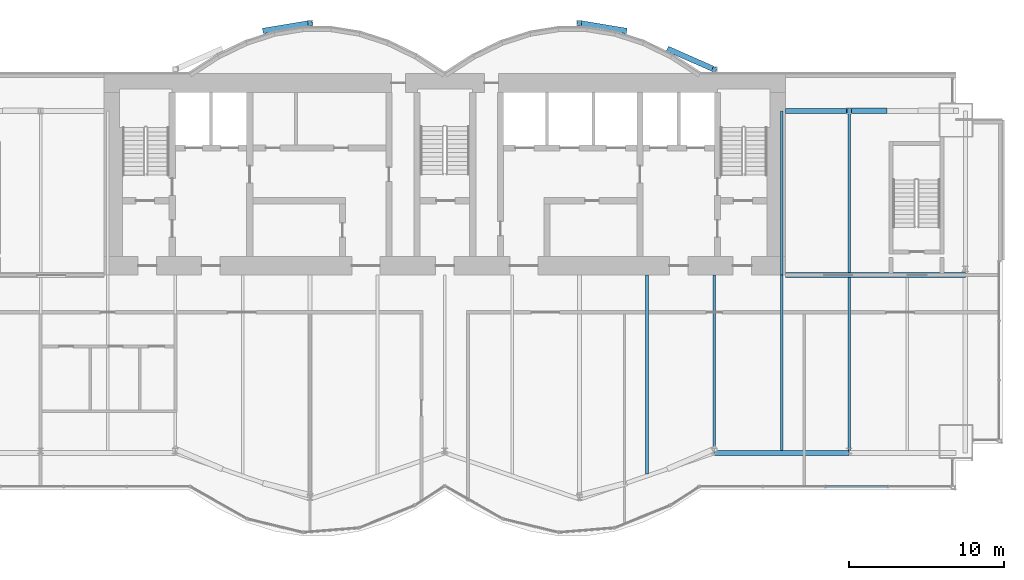
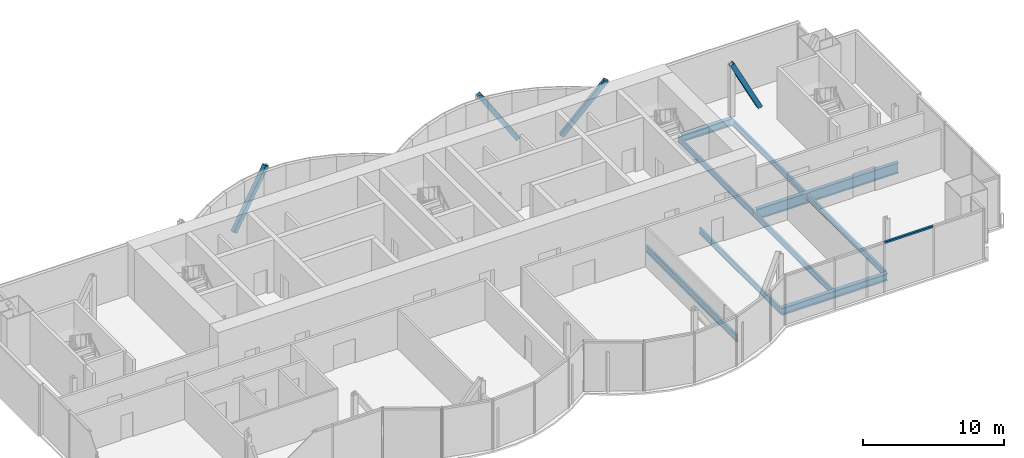
# One storey, part 9 of 18: 9 beams, 5 members, 1 element without a shape of its own.
"""IFC4 building model written with IfcOpenShell, lengths in metres."""

from ifc_helpers import new_model, si_unit, direction, frame, origin, origin_2d, place, context, subcontext, project, spatial, rectangle, hollow_rectangle, i_section, extrude, material, material_profile, profile_set, type_object, element, aggregate, save


model = new_model("IFC4")

# Units and contexts
model_context = context("Model", 3, precision=1e-05, world=origin(), true_north=direction((0.0, 1.0)))
body_context = subcontext(model_context, "Body", "Model", "MODEL_VIEW")
ifc_project = project(units=[si_unit("LENGTHUNIT", "METRE"), si_unit("AREAUNIT", "SQUARE_METRE"), si_unit("VOLUMEUNIT", "CUBIC_METRE"), si_unit("PLANEANGLEUNIT", "RADIAN"), si_unit("MASSUNIT", "GRAM", prefix="KILO")], contexts=[model_context])

# Site, building, storey
site_placement = place(None, origin())
site = spatial("IfcSite", under=ifc_project, at=site_placement, CompositionType="ELEMENT")
building_placement = place(site_placement, origin())
building = spatial("IfcBuilding", under=site, at=building_placement, Name="Bicima Exchange Tower", CompositionType="ELEMENT")
storey_placement = place(building_placement, frame((0.0, 0.0, 302.0)))
storey = spatial("IfcBuildingStorey", under=building, at=storey_placement, Name="L68", CompositionType="ELEMENT", Elevation=302.0)

# Beams
ifc_material_1 = material(Name="Steel ASTM A992 Gr 50", Category="steel")
ifc_material_profile_1 = material_profile(ifc_material_1, i_section(OverallWidth=0.3046875, OverallDepth=0.911865234375, WebThickness=0.015869140625, FlangeThickness=0.02392578125, at=origin_2d()))
ifc_profile_set_1 = profile_set([ifc_material_profile_1], Name="Steel ASTM A992 Gr 50")
beam_type_1 = type_object("IfcBeamType", Name="Core-line girder W36x150", PredefinedType="BEAM", material=ifc_profile_set_1)
beam_1_placement = place(storey_placement, frame((22.0, -13.0, -0.60595703125), z_axis=(1.0, 0.0, 0.0), x_axis=(0.0, 1.0, 0.0)))
element("IfcBeam", 1, at=beam_1_placement, inside=storey, type_object=beam_type_1, Name="Core-line girder", PredefinedType="BEAM", context=body_context, shape_type="SweptSolid", body=[
    extrude(i_section(OverallWidth=0.3046875, OverallDepth=0.911865234375, WebThickness=0.015869140625, FlangeThickness=0.02392578125, at=origin_2d()), origin(), (0.0, 0.0, 1.0), 11.60009765625),
])
ifc_material_profile_2 = material_profile(ifc_material_1, i_section(OverallWidth=0.165771484375, OverallDepth=0.5283203125, WebThickness=0.009765625, FlangeThickness=0.013671875, at=origin_2d()))
ifc_profile_set_2 = profile_set([ifc_material_profile_2], Name="Steel ASTM A992 Gr 50")
beam_type_2 = type_object("IfcBeamType", Name="Floor beam W21x50", PredefinedType="JOIST", material=ifc_profile_set_2)
beam_2_placement = place(storey_placement, frame((17.39990234375, -13.0, -0.414306640625), z_axis=(0.0, -1.0, 0.0), x_axis=(1.0, 0.0, 0.0)))
element("IfcBeam", 2, at=beam_2_placement, inside=storey, type_object=beam_type_2, Name="Floor beam", PredefinedType="JOIST", context=body_context, shape_type="SweptSolid", body=[
    extrude(i_section(OverallWidth=0.165771484375, OverallDepth=0.5283203125, WebThickness=0.009765625, FlangeThickness=0.013671875, at=origin_2d()), origin(), (0.0, 0.0, 1.0), 11.33642578125),
])
beam_3_placement = place(storey_placement, frame((21.75, -2.39990234375, -0.414306640625), z_axis=(0.0, -1.0, 0.0), x_axis=(1.0, 0.0, 0.0)))
element("IfcBeam", 3, at=beam_3_placement, inside=storey, type_object=beam_type_2, Name="Floor beam", PredefinedType="JOIST", context=body_context, shape_type="SweptSolid", body=[
    extrude(i_section(OverallWidth=0.165771484375, OverallDepth=0.5283203125, WebThickness=0.009765625, FlangeThickness=0.013671875, at=origin_2d()), origin(), (0.0, 0.0, 1.0), 10.60009765625),
])
beam_4_placement = place(storey_placement, frame((21.75, -13.0, -0.414306640625), z_axis=(0.0, -1.0, 0.0), x_axis=(1.0, 0.0, 0.0)))
element("IfcBeam", 4, at=beam_4_placement, inside=storey, type_object=beam_type_2, Name="Floor beam", PredefinedType="JOIST", context=body_context, shape_type="SweptSolid", body=[
    extrude(i_section(OverallWidth=0.165771484375, OverallDepth=0.5283203125, WebThickness=0.009765625, FlangeThickness=0.013671875, at=origin_2d()), origin(), (0.0, 0.0, 1.0), 11.309326171875),
])
beam_5_placement = place(storey_placement, frame((26.10009765625, -2.5625, -0.414306640625), z_axis=(0.0, -1.0, 0.0), x_axis=(1.0, 0.0, 0.0)))
element("IfcBeam", 5, at=beam_5_placement, inside=storey, type_object=beam_type_2, Name="Floor beam", PredefinedType="JOIST", context=body_context, shape_type="SweptSolid", body=[
    extrude(i_section(OverallWidth=0.165771484375, OverallDepth=0.5283203125, WebThickness=0.009765625, FlangeThickness=0.013671875, at=origin_2d()), origin(), (0.0, 0.0, 1.0), 10.28515625),
])
beam_6_placement = place(storey_placement, frame((26.10009765625, -13.15234375, -0.414306640625), z_axis=(0.0, -1.0, 0.0), x_axis=(1.0, 0.0, 0.0)))
element("IfcBeam", 6, at=beam_6_placement, inside=storey, type_object=beam_type_2, Name="Floor beam", PredefinedType="JOIST", context=body_context, shape_type="SweptSolid", body=[
    extrude(i_section(OverallWidth=0.165771484375, OverallDepth=0.5283203125, WebThickness=0.009765625, FlangeThickness=0.013671875, at=origin_2d()), origin(), (0.0, 0.0, 1.0), 11.156982421875),
])
ifc_material_profile_3 = material_profile(ifc_material_1, i_section(OverallWidth=0.177978515625, OverallDepth=0.599365234375, WebThickness=0.010009765625, FlangeThickness=0.012939453125, at=origin_2d()))
ifc_profile_set_3 = profile_set([ifc_material_profile_3], Name="Steel ASTM A992 Gr 50")
beam_type_3 = type_object("IfcBeamType", Name="Floor beam W24x55", PredefinedType="JOIST", material=ifc_profile_set_3)
beam_7_placement = place(storey_placement, frame((13.050048828125, -13.0, -0.44970703125), z_axis=(0.0, -1.0, 0.0), x_axis=(1.0, 0.0, 0.0)))
element("IfcBeam", 7, at=beam_7_placement, inside=storey, type_object=beam_type_3, Name="Floor beam", PredefinedType="JOIST", context=body_context, shape_type="SweptSolid", body=[
    extrude(i_section(OverallWidth=0.177978515625, OverallDepth=0.599365234375, WebThickness=0.010009765625, FlangeThickness=0.012939453125, at=origin_2d()), origin(), (0.0, 0.0, 1.0), 12.831787109375),
])
ifc_material_profile_4 = material_profile(ifc_material_1, i_section(OverallWidth=0.3251953125, OverallDepth=0.612060546875, WebThickness=0.0126953125, FlangeThickness=0.01904296875, at=origin_2d()))
ifc_profile_set_4 = profile_set([ifc_material_profile_4], Name="Steel ASTM A992 Gr 50")
beam_type_4 = type_object("IfcBeamType", Name="Front girder W24x104", PredefinedType="BEAM", material=ifc_profile_set_4)
beam_8_placement = place(storey_placement, frame((17.39990234375, -24.471923828125, -0.4560546875), z_axis=(1.0, 0.0, 0.0), x_axis=(0.0, 1.0, 0.0)))
element("IfcBeam", 8, at=beam_8_placement, inside=storey, type_object=beam_type_4, Name="Front girder", PredefinedType="BEAM", context=body_context, shape_type="SweptSolid", body=[
    extrude(i_section(OverallWidth=0.3251953125, OverallDepth=0.612060546875, WebThickness=0.0126953125, FlangeThickness=0.01904296875, at=origin_2d()), origin(), (0.0, 0.0, 1.0), 8.7001953125),
])

# Curtain wall, member
ifc_material_2 = material(Name="Anodised bronze aluminium", Category="aluminium")
curtain_wall_type = type_object("IfcCurtainWallType", Name="Front glass wall", PredefinedType="NOTDEFINED", material=ifc_material_2)
curtain_wall_placement = place(storey_placement, origin())
curtain_wall = element("IfcCurtainWall", 9, at=curtain_wall_placement, inside=storey, type_object=curtain_wall_type, Name="Front glass wall L68 run 16", PredefinedType="NOTDEFINED")
ifc_material_profile_5 = material_profile(ifc_material_2, rectangle(XDim=0.159912109375, YDim=0.139892578125, at=origin_2d()))
ifc_profile_set_5 = profile_set([ifc_material_profile_5], Name="Anodised bronze aluminium")
member_type_1 = type_object("IfcMemberType", Name="Front glass wall transom 140 x 160", PredefinedType="USERDEFINED", material=ifc_profile_set_5)
member_1_placement = place(storey_placement, frame((24.591064453125, -26.64208984375, 4.280029296875), z_axis=(1.0, 0.0, 0.0), x_axis=(0.0, 1.0, 0.0)))
member_1 = element("IfcMember", 10, at=member_1_placement, type_object=member_type_1, Name="Front glass wall transom 3.1", ObjectType="TRANSOM", PredefinedType="USERDEFINED", context=body_context, shape_type="SweptSolid", body=[
    extrude(rectangle(XDim=0.159912109375, YDim=0.139892578125, at=origin_2d()), origin(), (0.0, 0.0, 1.0), 3.989501953125),
])
aggregate(curtain_wall, [member_1])

# Members
ifc_material_3 = material(Name="Steel ASTM A572 Gr 50", Category="steel")
ifc_material_profile_6 = material_profile(ifc_material_3, hollow_rectangle(XDim=0.355712890625, YDim=0.355712890625, WallThickness=0.01171875, at=origin_2d()))
ifc_profile_set_6 = profile_set([ifc_material_profile_6], Name="Steel ASTM A572 Gr 50")
member_type_2 = type_object("IfcMemberType", Name="Mega brace HSS14x14x1/2", PredefinedType="BRACE", material=ifc_profile_set_6)
member_2_placement = place(storey_placement, frame((-11.60009765625, 2.783203125, 0.0), z_axis=(0.539503643625, 0.090379009244, 0.837118541906), x_axis=(-0.165220206918, 0.9862567025, 0.0)))
element("IfcMember", 11, at=member_2_placement, inside=storey, type_object=member_type_2, Name="Mega brace rexo", PredefinedType="BRACE", context=body_context, shape_type="SweptSolid", body=[
    extrude(hollow_rectangle(XDim=0.355712890625, YDim=0.355712890625, WallThickness=0.01171875, at=origin_2d()), origin(), (0.0, 0.0, 1.0), 5.37548828125),
])
member_3_placement = place(storey_placement, frame((14.5, 1.55615234375, 0.0), z_axis=(0.526881390073, -0.232212836928, 0.817602103202), x_axis=(0.403298774981, 0.915068357063, 0.0)))
element("IfcMember", 12, at=member_3_placement, inside=storey, type_object=member_type_2, Name="Mega brace rexo", PredefinedType="BRACE", context=body_context, shape_type="SweptSolid", body=[
    extrude(hollow_rectangle(XDim=0.355712890625, YDim=0.355712890625, WallThickness=0.01171875, at=origin_2d()), origin(), (0.0, 0.0, 1.0), 5.50390625),
])
member_4_placement = place(storey_placement, frame((11.60009765625, 2.783203125, 0.0), z_axis=(-0.539503643625, 0.090379009244, 0.837118541906), x_axis=(-0.165220206918, -0.9862567025, 0.0)))
element("IfcMember", 13, at=member_4_placement, inside=storey, type_object=member_type_2, Name="Mega brace rexo", PredefinedType="BRACE", context=body_context, shape_type="SweptSolid", body=[
    extrude(hollow_rectangle(XDim=0.355712890625, YDim=0.355712890625, WallThickness=0.01171875, at=origin_2d()), origin(), (0.0, 0.0, 1.0), 5.37548828125),
])
member_5_placement = place(storey_placement, frame((28.39990234375, -2.39990234375, 0.0), z_axis=(-0.455080416514, 0.0, 0.89045034365), x_axis=(0.0, -1.0, 0.0)))
element("IfcMember", 14, at=member_5_placement, inside=storey, type_object=member_type_2, Name="Mega brace rear", PredefinedType="BRACE", context=body_context, shape_type="SweptSolid", body=[
    extrude(hollow_rectangle(XDim=0.355712890625, YDim=0.355712890625, WallThickness=0.01171875, at=origin_2d()), origin(), (0.0, 0.0, 1.0), 5.0537109375),
])

# Beam
beam_type_5 = type_object("IfcBeamType", Name="Rear girder W24x104", PredefinedType="BEAM", material=ifc_profile_set_4)
beam_9_placement = place(storey_placement, frame((22.0, -2.39990234375, -0.4560546875), z_axis=(1.0, 0.0, 0.0), x_axis=(0.0, 1.0, 0.0)))
element("IfcBeam", 15, at=beam_9_placement, inside=storey, type_object=beam_type_5, Name="Rear girder", PredefinedType="BEAM", context=body_context, shape_type="SweptSolid", body=[
    extrude(i_section(OverallWidth=0.3251953125, OverallDepth=0.612060546875, WebThickness=0.0126953125, FlangeThickness=0.01904296875, at=origin_2d()), origin(), (0.0, 0.0, 1.0), 4.10009765625),
])

save(model, "model.ifc")
